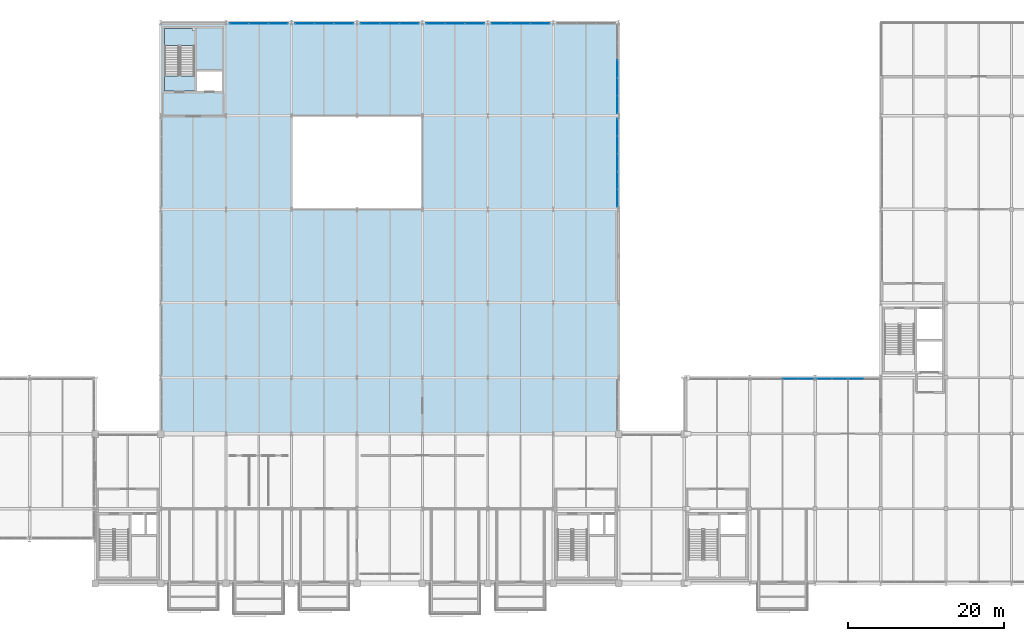
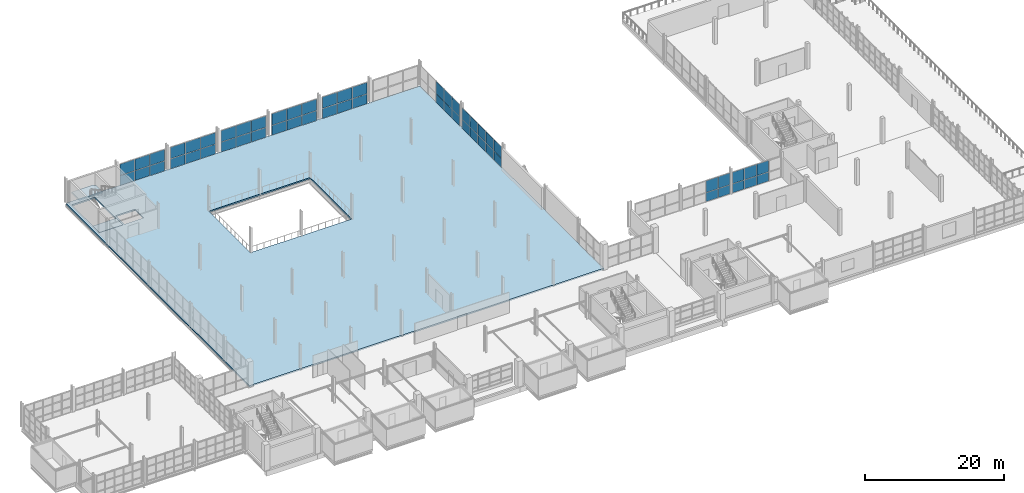
# One storey, part 89 of 109: 56 plates, 3 slabs, 10 elements without a shape of their own.
"""IFC4 building model written with IfcOpenShell, lengths in metres."""

from ifc_helpers import new_model, si_unit, direction, frame, origin, origin_2d, place, context, subcontext, project, spatial, polyline, rectangle, outline, extrude, material, layer, layer_set, type_object, element, aggregate, save


model = new_model("IFC4")

# Units and contexts
model_context = context("Model", 3, precision=1e-05, world=origin(), true_north=direction((0.0, 1.0)))
body_context = subcontext(model_context, "Body", "Model", "MODEL_VIEW")
ifc_project = project(units=[si_unit("LENGTHUNIT", "METRE"), si_unit("AREAUNIT", "SQUARE_METRE"), si_unit("VOLUMEUNIT", "CUBIC_METRE"), si_unit("PLANEANGLEUNIT", "RADIAN"), si_unit("MASSUNIT", "GRAM", prefix="KILO")], contexts=[model_context])

# Site, building, storey
site_placement = place(None, origin())
site = spatial("IfcSite", under=ifc_project, at=site_placement, CompositionType="ELEMENT")
building_placement = place(site_placement, origin())
building = spatial("IfcBuilding", under=site, at=building_placement, Name="Veltarok Museum of Natural Sciences", CompositionType="ELEMENT")
storey_placement = place(building_placement, frame((0.0, 0.0, 17.39990234375)))
storey = spatial("IfcBuildingStorey", under=building, at=storey_placement, Name="L03", CompositionType="ELEMENT", Elevation=17.39990234375)

# Slab
ifc_material_1 = material(Name="Concrete C35/45", Category="concrete")
ifc_layer_1 = layer(ifc_material_1, 0.199951171875)
ifc_layer_set_1 = layer_set([ifc_layer_1], Name="Concrete C35/45")
slab_type_1 = type_object("IfcSlabType", Name="Protected Stair Intermediate Landing Slab 200", PredefinedType="LANDING", material=ifc_layer_set_1)
slab_1_placement = place(storey_placement, frame((0.0, 0.0, -0.199951171875)))
element("IfcSlab", 1, at=slab_1_placement, inside=storey, type_object=slab_type_1, Name="Stairwell Floor Landing ST-03 L03", PredefinedType="LANDING", context=body_context, shape_type="SweptSolid", body=[
    extrude(outline(polyline([(40.510009765625, 63.179931640625), (44.389892578125, 63.179931640625), (44.389892578125, 65.10009765625), (40.510009765625, 65.10009765625), (40.510009765625, 63.179931640625)])), origin(), (0.0, 0.0, 1.0), 0.199951171875),
])

# Stair, slab
ifc_material_2 = material(Name="Precast concrete C40/50", Category="concrete")
stair_type = type_object("IfcStairType", Name="Protected Half-Turn Escape Stair H4500", PredefinedType="HALF_TURN_STAIR", material=ifc_material_2)
stair_placement = place(storey_placement, origin())
stair = element("IfcStair", 2, at=stair_placement, inside=storey, type_object=stair_type, Name="Protected Escape Stair ST-03-L03", PredefinedType="HALF_TURN_STAIR")
slab_2_placement = place(storey_placement, frame((0.0, 0.0, 2.050048828125)))
slab_2 = element("IfcSlab", 3, at=slab_2_placement, type_object=slab_type_1, Name="ST-03-L03 landing 1", PredefinedType="LANDING", context=body_context, shape_type="SweptSolid", body=[
    extrude(outline(polyline([(40.510009765625, 69.0), (44.389892578125, 69.0), (44.389892578125, 70.97998046875), (44.070068359375, 70.97998046875), (44.070068359375, 71.219970703125), (40.510009765625, 71.219970703125), (40.510009765625, 69.0)])), origin(), (0.0, 0.0, 1.0), 0.199951171875),
])
aggregate(stair, [slab_2])

# Slab
ifc_layer_2 = layer(ifc_material_1, 0.25)
ifc_layer_set_2 = layer_set([ifc_layer_2], Name="Concrete C35/45")
slab_type_2 = type_object("IfcSlabType", Name="Suspended Museum Floor Slab 250", PredefinedType="FLOOR", material=ifc_layer_set_2)
slab_3_placement = place(storey_placement, frame((0.0, 0.0, -0.25)))
element("IfcSlab", 4, at=slab_3_placement, inside=storey, type_object=slab_type_2, Name="Floor Slab L03 V2", PredefinedType="FLOOR", context=body_context, shape_type="SweptSolid", body=[
    extrude(outline(polyline([(40.0, 19.199951171875), (40.0, 72.0), (98.800048828125, 72.0), (98.800048828125, 19.199951171875), (40.0, 19.199951171875)]), holes=[polyline([(73.60009765625, 60.0), (56.800048828125, 60.0), (56.800048828125, 48.0), (73.60009765625, 48.0), (73.60009765625, 60.0)]), polyline([(47.8701171875, 65.699951171875), (44.669921875, 65.699951171875), (44.669921875, 63.199951171875), (47.8701171875, 63.199951171875), (47.8701171875, 65.699951171875)]), polyline([(44.3701171875, 71.199951171875), (40.530029296875, 71.199951171875), (40.530029296875, 63.199951171875), (44.3701171875, 63.199951171875), (44.3701171875, 71.199951171875)])]), origin(), (0.0, 0.0, 1.0), 0.25),
])

# Curtain wall, plates
ifc_material_3 = material(Name="Low-iron triple insulated glass", Category="glass")
curtain_wall_type_1 = type_object("IfcCurtainWallType", Name="Curtain Wall System CW-V2N-L03-6-756x388 (V2 North Hall L03 6-7 756x388cm)", PredefinedType="NOTDEFINED", material=ifc_material_3)
curtain_wall_1_placement = place(storey_placement, origin())
curtain_wall_1 = element("IfcCurtainWall", 5, at=curtain_wall_1_placement, inside=storey, type_object=curtain_wall_type_1, Name="Curtain Wall CW-V2N-L03-6-756x388 CW-0055", PredefinedType="NOTDEFINED")
ifc_layer_3 = layer(ifc_material_3, 0.028076171875)
ifc_layer_set_3 = layer_set([ifc_layer_3], Name="Low-iron triple insulated glass")
plate_type = type_object("IfcPlateType", Name="Triple Low-Iron Glazed Vision Panel 28", PredefinedType="CURTAIN_PANEL", material=ifc_layer_set_3)
plate_1_placement = place(storey_placement, frame((55.10498046875, 71.85009765625, 0.06005859375), z_axis=(0.0, 0.0, 1.0), x_axis=(-1.0, 0.0, 0.0)))
plate_1 = element("IfcPlate", 6, at=plate_1_placement, type_object=plate_type, Name="CW-V2N-L03-6-756x388 panel 1.1", PredefinedType="CURTAIN_PANEL", context=body_context, shape_type="SweptSolid", body=[
    extrude(rectangle(XDim=2.429931640625, YDim=0.028076171875, at=origin_2d()), origin(), (0.0, 0.0, 1.0), 1.7099609375),
])
plate_2_placement = place(storey_placement, frame((55.10498046875, 71.85009765625, 1.830078125), z_axis=(0.0, 0.0, 1.0), x_axis=(-1.0, 0.0, 0.0)))
plate_2 = element("IfcPlate", 7, at=plate_2_placement, type_object=plate_type, Name="CW-V2N-L03-6-756x388 panel 1.2", PredefinedType="CURTAIN_PANEL", context=body_context, shape_type="SweptSolid", body=[
    extrude(rectangle(XDim=2.429931640625, YDim=0.028076171875, at=origin_2d()), origin(), (0.0, 0.0, 1.0), 1.989990234375),
])
plate_3_placement = place(storey_placement, frame((52.60009765625, 71.85009765625, 0.06005859375), z_axis=(0.0, 0.0, 1.0), x_axis=(-1.0, 0.0, 0.0)))
plate_3 = element("IfcPlate", 8, at=plate_3_placement, type_object=plate_type, Name="CW-V2N-L03-6-756x388 panel 2.1", PredefinedType="CURTAIN_PANEL", context=body_context, shape_type="SweptSolid", body=[
    extrude(rectangle(XDim=2.4599609375, YDim=0.028076171875, at=origin_2d()), origin(), (0.0, 0.0, 1.0), 1.7099609375),
])
plate_4_placement = place(storey_placement, frame((52.60009765625, 71.85009765625, 1.830078125), z_axis=(0.0, 0.0, 1.0), x_axis=(-1.0, 0.0, 0.0)))
plate_4 = element("IfcPlate", 9, at=plate_4_placement, type_object=plate_type, Name="CW-V2N-L03-6-756x388 panel 2.2", PredefinedType="CURTAIN_PANEL", context=body_context, shape_type="SweptSolid", body=[
    extrude(rectangle(XDim=2.4599609375, YDim=0.028076171875, at=origin_2d()), origin(), (0.0, 0.0, 1.0), 1.989990234375),
])
plate_5_placement = place(storey_placement, frame((50.094970703125, 71.85009765625, 0.06005859375), z_axis=(0.0, 0.0, 1.0), x_axis=(-1.0, 0.0, 0.0)))
plate_5 = element("IfcPlate", 10, at=plate_5_placement, type_object=plate_type, Name="CW-V2N-L03-6-756x388 panel 3.1", PredefinedType="CURTAIN_PANEL", context=body_context, shape_type="SweptSolid", body=[
    extrude(rectangle(XDim=2.429931640625, YDim=0.028076171875, at=origin_2d()), origin(), (0.0, 0.0, 1.0), 1.7099609375),
])
plate_6_placement = place(storey_placement, frame((50.094970703125, 71.85009765625, 1.830078125), z_axis=(0.0, 0.0, 1.0), x_axis=(-1.0, 0.0, 0.0)))
plate_6 = element("IfcPlate", 11, at=plate_6_placement, type_object=plate_type, Name="CW-V2N-L03-6-756x388 panel 3.2", PredefinedType="CURTAIN_PANEL", context=body_context, shape_type="SweptSolid", body=[
    extrude(rectangle(XDim=2.429931640625, YDim=0.028076171875, at=origin_2d()), origin(), (0.0, 0.0, 1.0), 1.989990234375),
])
aggregate(curtain_wall_1, [plate_1, plate_2, plate_3, plate_4, plate_5, plate_6])

curtain_wall_type_2 = type_object("IfcCurtainWallType", Name="Curtain Wall System CW-V2N-L03-7-756x388 (V2 North Hall L03 7-8 756x388cm)", PredefinedType="NOTDEFINED", material=ifc_material_3)
curtain_wall_2_placement = place(storey_placement, origin())
curtain_wall_2 = element("IfcCurtainWall", 12, at=curtain_wall_2_placement, inside=storey, type_object=curtain_wall_type_2, Name="Curtain Wall CW-V2N-L03-7-756x388 CW-0056", PredefinedType="NOTDEFINED")
plate_7_placement = place(storey_placement, frame((63.5048828125, 71.85009765625, 0.06005859375), z_axis=(0.0, 0.0, 1.0), x_axis=(-1.0, 0.0, 0.0)))
plate_7 = element("IfcPlate", 13, at=plate_7_placement, type_object=plate_type, Name="CW-V2N-L03-7-756x388 panel 1.1", PredefinedType="CURTAIN_PANEL", context=body_context, shape_type="SweptSolid", body=[
    extrude(rectangle(XDim=2.429931640625, YDim=0.028076171875, at=origin_2d()), origin(), (0.0, 0.0, 1.0), 1.7099609375),
])
plate_8_placement = place(storey_placement, frame((63.5048828125, 71.85009765625, 1.830078125), z_axis=(0.0, 0.0, 1.0), x_axis=(-1.0, 0.0, 0.0)))
plate_8 = element("IfcPlate", 14, at=plate_8_placement, type_object=plate_type, Name="CW-V2N-L03-7-756x388 panel 1.2", PredefinedType="CURTAIN_PANEL", context=body_context, shape_type="SweptSolid", body=[
    extrude(rectangle(XDim=2.429931640625, YDim=0.028076171875, at=origin_2d()), origin(), (0.0, 0.0, 1.0), 1.989990234375),
])
plate_9_placement = place(storey_placement, frame((61.0, 71.85009765625, 0.06005859375), z_axis=(0.0, 0.0, 1.0), x_axis=(-1.0, 0.0, 0.0)))
plate_9 = element("IfcPlate", 15, at=plate_9_placement, type_object=plate_type, Name="CW-V2N-L03-7-756x388 panel 2.1", PredefinedType="CURTAIN_PANEL", context=body_context, shape_type="SweptSolid", body=[
    extrude(rectangle(XDim=2.4599609375, YDim=0.028076171875, at=origin_2d()), origin(), (0.0, 0.0, 1.0), 1.7099609375),
])
plate_10_placement = place(storey_placement, frame((61.0, 71.85009765625, 1.830078125), z_axis=(0.0, 0.0, 1.0), x_axis=(-1.0, 0.0, 0.0)))
plate_10 = element("IfcPlate", 16, at=plate_10_placement, type_object=plate_type, Name="CW-V2N-L03-7-756x388 panel 2.2", PredefinedType="CURTAIN_PANEL", context=body_context, shape_type="SweptSolid", body=[
    extrude(rectangle(XDim=2.4599609375, YDim=0.028076171875, at=origin_2d()), origin(), (0.0, 0.0, 1.0), 1.989990234375),
])
plate_11_placement = place(storey_placement, frame((58.4951171875, 71.85009765625, 0.06005859375), z_axis=(0.0, 0.0, 1.0), x_axis=(-1.0, 0.0, 0.0)))
plate_11 = element("IfcPlate", 17, at=plate_11_placement, type_object=plate_type, Name="CW-V2N-L03-7-756x388 panel 3.1", PredefinedType="CURTAIN_PANEL", context=body_context, shape_type="SweptSolid", body=[
    extrude(rectangle(XDim=2.429931640625, YDim=0.028076171875, at=origin_2d()), origin(), (0.0, 0.0, 1.0), 1.7099609375),
])
plate_12_placement = place(storey_placement, frame((58.4951171875, 71.85009765625, 1.830078125), z_axis=(0.0, 0.0, 1.0), x_axis=(-1.0, 0.0, 0.0)))
plate_12 = element("IfcPlate", 18, at=plate_12_placement, type_object=plate_type, Name="CW-V2N-L03-7-756x388 panel 3.2", PredefinedType="CURTAIN_PANEL", context=body_context, shape_type="SweptSolid", body=[
    extrude(rectangle(XDim=2.429931640625, YDim=0.028076171875, at=origin_2d()), origin(), (0.0, 0.0, 1.0), 1.989990234375),
])
aggregate(curtain_wall_2, [plate_7, plate_8, plate_9, plate_10, plate_11, plate_12])

curtain_wall_type_3 = type_object("IfcCurtainWallType", Name="Curtain Wall System CW-V2N-L03-8-756x388 (V2 North Hall L03 8-9 756x388cm)", PredefinedType="NOTDEFINED", material=ifc_material_3)
curtain_wall_3_placement = place(storey_placement, origin())
curtain_wall_3 = element("IfcCurtainWall", 19, at=curtain_wall_3_placement, inside=storey, type_object=curtain_wall_type_3, Name="Curtain Wall CW-V2N-L03-8-756x388 CW-0057", PredefinedType="NOTDEFINED")
plate_13_placement = place(storey_placement, frame((71.905029296875, 71.85009765625, 0.06005859375), z_axis=(0.0, 0.0, 1.0), x_axis=(-1.0, 0.0, 0.0)))
plate_13 = element("IfcPlate", 20, at=plate_13_placement, type_object=plate_type, Name="CW-V2N-L03-8-756x388 panel 1.1", PredefinedType="CURTAIN_PANEL", context=body_context, shape_type="SweptSolid", body=[
    extrude(rectangle(XDim=2.429931640625, YDim=0.028076171875, at=origin_2d()), origin(), (0.0, 0.0, 1.0), 1.7099609375),
])
plate_14_placement = place(storey_placement, frame((71.905029296875, 71.85009765625, 1.830078125), z_axis=(0.0, 0.0, 1.0), x_axis=(-1.0, 0.0, 0.0)))
plate_14 = element("IfcPlate", 21, at=plate_14_placement, type_object=plate_type, Name="CW-V2N-L03-8-756x388 panel 1.2", PredefinedType="CURTAIN_PANEL", context=body_context, shape_type="SweptSolid", body=[
    extrude(rectangle(XDim=2.429931640625, YDim=0.028076171875, at=origin_2d()), origin(), (0.0, 0.0, 1.0), 1.989990234375),
])
plate_15_placement = place(storey_placement, frame((69.39990234375, 71.85009765625, 0.06005859375), z_axis=(0.0, 0.0, 1.0), x_axis=(-1.0, 0.0, 0.0)))
plate_15 = element("IfcPlate", 22, at=plate_15_placement, type_object=plate_type, Name="CW-V2N-L03-8-756x388 panel 2.1", PredefinedType="CURTAIN_PANEL", context=body_context, shape_type="SweptSolid", body=[
    extrude(rectangle(XDim=2.4599609375, YDim=0.028076171875, at=origin_2d()), origin(), (0.0, 0.0, 1.0), 1.7099609375),
])
plate_16_placement = place(storey_placement, frame((69.39990234375, 71.85009765625, 1.830078125), z_axis=(0.0, 0.0, 1.0), x_axis=(-1.0, 0.0, 0.0)))
plate_16 = element("IfcPlate", 23, at=plate_16_placement, type_object=plate_type, Name="CW-V2N-L03-8-756x388 panel 2.2", PredefinedType="CURTAIN_PANEL", context=body_context, shape_type="SweptSolid", body=[
    extrude(rectangle(XDim=2.4599609375, YDim=0.028076171875, at=origin_2d()), origin(), (0.0, 0.0, 1.0), 1.989990234375),
])
plate_17_placement = place(storey_placement, frame((66.89501953125, 71.85009765625, 0.06005859375), z_axis=(0.0, 0.0, 1.0), x_axis=(-1.0, 0.0, 0.0)))
plate_17 = element("IfcPlate", 24, at=plate_17_placement, type_object=plate_type, Name="CW-V2N-L03-8-756x388 panel 3.1", PredefinedType="CURTAIN_PANEL", context=body_context, shape_type="SweptSolid", body=[
    extrude(rectangle(XDim=2.429931640625, YDim=0.028076171875, at=origin_2d()), origin(), (0.0, 0.0, 1.0), 1.7099609375),
])
plate_18_placement = place(storey_placement, frame((66.89501953125, 71.85009765625, 1.830078125), z_axis=(0.0, 0.0, 1.0), x_axis=(-1.0, 0.0, 0.0)))
plate_18 = element("IfcPlate", 25, at=plate_18_placement, type_object=plate_type, Name="CW-V2N-L03-8-756x388 panel 3.2", PredefinedType="CURTAIN_PANEL", context=body_context, shape_type="SweptSolid", body=[
    extrude(rectangle(XDim=2.429931640625, YDim=0.028076171875, at=origin_2d()), origin(), (0.0, 0.0, 1.0), 1.989990234375),
])
aggregate(curtain_wall_3, [plate_13, plate_14, plate_15, plate_16, plate_17, plate_18])

curtain_wall_type_4 = type_object("IfcCurtainWallType", Name="Curtain Wall System CW-V2N-L03-9-756x388 (V2 North Hall L03 9-10 756x388cm)", PredefinedType="NOTDEFINED", material=ifc_material_3)
curtain_wall_4_placement = place(storey_placement, origin())
curtain_wall_4 = element("IfcCurtainWall", 26, at=curtain_wall_4_placement, inside=storey, type_object=curtain_wall_type_4, Name="Curtain Wall CW-V2N-L03-9-756x388 CW-0058", PredefinedType="NOTDEFINED")
plate_19_placement = place(storey_placement, frame((80.304931640625, 71.85009765625, 0.06005859375), z_axis=(0.0, 0.0, 1.0), x_axis=(-1.0, 0.0, 0.0)))
plate_19 = element("IfcPlate", 27, at=plate_19_placement, type_object=plate_type, Name="CW-V2N-L03-9-756x388 panel 1.1", PredefinedType="CURTAIN_PANEL", context=body_context, shape_type="SweptSolid", body=[
    extrude(rectangle(XDim=2.429931640625, YDim=0.028076171875, at=origin_2d()), origin(), (0.0, 0.0, 1.0), 1.7099609375),
])
plate_20_placement = place(storey_placement, frame((80.304931640625, 71.85009765625, 1.830078125), z_axis=(0.0, 0.0, 1.0), x_axis=(-1.0, 0.0, 0.0)))
plate_20 = element("IfcPlate", 28, at=plate_20_placement, type_object=plate_type, Name="CW-V2N-L03-9-756x388 panel 1.2", PredefinedType="CURTAIN_PANEL", context=body_context, shape_type="SweptSolid", body=[
    extrude(rectangle(XDim=2.429931640625, YDim=0.028076171875, at=origin_2d()), origin(), (0.0, 0.0, 1.0), 1.989990234375),
])
plate_21_placement = place(storey_placement, frame((77.800048828125, 71.85009765625, 0.06005859375), z_axis=(0.0, 0.0, 1.0), x_axis=(-1.0, 0.0, 0.0)))
plate_21 = element("IfcPlate", 29, at=plate_21_placement, type_object=plate_type, Name="CW-V2N-L03-9-756x388 panel 2.1", PredefinedType="CURTAIN_PANEL", context=body_context, shape_type="SweptSolid", body=[
    extrude(rectangle(XDim=2.4599609375, YDim=0.028076171875, at=origin_2d()), origin(), (0.0, 0.0, 1.0), 1.7099609375),
])
plate_22_placement = place(storey_placement, frame((77.800048828125, 71.85009765625, 1.830078125), z_axis=(0.0, 0.0, 1.0), x_axis=(-1.0, 0.0, 0.0)))
plate_22 = element("IfcPlate", 30, at=plate_22_placement, type_object=plate_type, Name="CW-V2N-L03-9-756x388 panel 2.2", PredefinedType="CURTAIN_PANEL", context=body_context, shape_type="SweptSolid", body=[
    extrude(rectangle(XDim=2.4599609375, YDim=0.028076171875, at=origin_2d()), origin(), (0.0, 0.0, 1.0), 1.989990234375),
])
plate_23_placement = place(storey_placement, frame((75.294921875, 71.85009765625, 0.06005859375), z_axis=(0.0, 0.0, 1.0), x_axis=(-1.0, 0.0, 0.0)))
plate_23 = element("IfcPlate", 31, at=plate_23_placement, type_object=plate_type, Name="CW-V2N-L03-9-756x388 panel 3.1", PredefinedType="CURTAIN_PANEL", context=body_context, shape_type="SweptSolid", body=[
    extrude(rectangle(XDim=2.429931640625, YDim=0.028076171875, at=origin_2d()), origin(), (0.0, 0.0, 1.0), 1.7099609375),
])
plate_24_placement = place(storey_placement, frame((75.294921875, 71.85009765625, 1.830078125), z_axis=(0.0, 0.0, 1.0), x_axis=(-1.0, 0.0, 0.0)))
plate_24 = element("IfcPlate", 32, at=plate_24_placement, type_object=plate_type, Name="CW-V2N-L03-9-756x388 panel 3.2", PredefinedType="CURTAIN_PANEL", context=body_context, shape_type="SweptSolid", body=[
    extrude(rectangle(XDim=2.429931640625, YDim=0.028076171875, at=origin_2d()), origin(), (0.0, 0.0, 1.0), 1.989990234375),
])
aggregate(curtain_wall_4, [plate_19, plate_20, plate_21, plate_22, plate_23, plate_24])

curtain_wall_type_5 = type_object("IfcCurtainWallType", Name="Curtain Wall System CW-V2N-L03-10-756x388 (V2 North Hall L03 10-11 756x388cm)", PredefinedType="NOTDEFINED", material=ifc_material_3)
curtain_wall_5_placement = place(storey_placement, origin())
curtain_wall_5 = element("IfcCurtainWall", 33, at=curtain_wall_5_placement, inside=storey, type_object=curtain_wall_type_5, Name="Curtain Wall CW-V2N-L03-10-756x388 CW-0059", PredefinedType="NOTDEFINED")
plate_25_placement = place(storey_placement, frame((88.705078125, 71.85009765625, 0.06005859375), z_axis=(0.0, 0.0, 1.0), x_axis=(-1.0, 0.0, 0.0)))
plate_25 = element("IfcPlate", 34, at=plate_25_placement, type_object=plate_type, Name="CW-V2N-L03-10-756x388 panel 1.1", PredefinedType="CURTAIN_PANEL", context=body_context, shape_type="SweptSolid", body=[
    extrude(rectangle(XDim=2.429931640625, YDim=0.028076171875, at=origin_2d()), origin(), (0.0, 0.0, 1.0), 1.7099609375),
])
plate_26_placement = place(storey_placement, frame((88.705078125, 71.85009765625, 1.830078125), z_axis=(0.0, 0.0, 1.0), x_axis=(-1.0, 0.0, 0.0)))
plate_26 = element("IfcPlate", 35, at=plate_26_placement, type_object=plate_type, Name="CW-V2N-L03-10-756x388 panel 1.2", PredefinedType="CURTAIN_PANEL", context=body_context, shape_type="SweptSolid", body=[
    extrude(rectangle(XDim=2.429931640625, YDim=0.028076171875, at=origin_2d()), origin(), (0.0, 0.0, 1.0), 1.989990234375),
])
plate_27_placement = place(storey_placement, frame((86.199951171875, 71.85009765625, 0.06005859375), z_axis=(0.0, 0.0, 1.0), x_axis=(-1.0, 0.0, 0.0)))
plate_27 = element("IfcPlate", 36, at=plate_27_placement, type_object=plate_type, Name="CW-V2N-L03-10-756x388 panel 2.1", PredefinedType="CURTAIN_PANEL", context=body_context, shape_type="SweptSolid", body=[
    extrude(rectangle(XDim=2.4599609375, YDim=0.028076171875, at=origin_2d()), origin(), (0.0, 0.0, 1.0), 1.7099609375),
])
plate_28_placement = place(storey_placement, frame((86.199951171875, 71.85009765625, 1.830078125), z_axis=(0.0, 0.0, 1.0), x_axis=(-1.0, 0.0, 0.0)))
plate_28 = element("IfcPlate", 37, at=plate_28_placement, type_object=plate_type, Name="CW-V2N-L03-10-756x388 panel 2.2", PredefinedType="CURTAIN_PANEL", context=body_context, shape_type="SweptSolid", body=[
    extrude(rectangle(XDim=2.4599609375, YDim=0.028076171875, at=origin_2d()), origin(), (0.0, 0.0, 1.0), 1.989990234375),
])
plate_29_placement = place(storey_placement, frame((83.695068359375, 71.85009765625, 0.06005859375), z_axis=(0.0, 0.0, 1.0), x_axis=(-1.0, 0.0, 0.0)))
plate_29 = element("IfcPlate", 38, at=plate_29_placement, type_object=plate_type, Name="CW-V2N-L03-10-756x388 panel 3.1", PredefinedType="CURTAIN_PANEL", context=body_context, shape_type="SweptSolid", body=[
    extrude(rectangle(XDim=2.429931640625, YDim=0.028076171875, at=origin_2d()), origin(), (0.0, 0.0, 1.0), 1.7099609375),
])
plate_30_placement = place(storey_placement, frame((83.695068359375, 71.85009765625, 1.830078125), z_axis=(0.0, 0.0, 1.0), x_axis=(-1.0, 0.0, 0.0)))
plate_30 = element("IfcPlate", 39, at=plate_30_placement, type_object=plate_type, Name="CW-V2N-L03-10-756x388 panel 3.2", PredefinedType="CURTAIN_PANEL", context=body_context, shape_type="SweptSolid", body=[
    extrude(rectangle(XDim=2.429931640625, YDim=0.028076171875, at=origin_2d()), origin(), (0.0, 0.0, 1.0), 1.989990234375),
])
aggregate(curtain_wall_5, [plate_25, plate_26, plate_27, plate_28, plate_29, plate_30])

curtain_wall_type_6 = type_object("IfcCurtainWallType", Name="Curtain Wall System CW-V2E-L03-3-1140x373 (CW-V2E L03 1140x373cm)", PredefinedType="NOTDEFINED", material=ifc_material_3)
curtain_wall_6_placement = place(storey_placement, origin())
curtain_wall_6 = element("IfcCurtainWall", 40, at=curtain_wall_6_placement, inside=storey, type_object=curtain_wall_type_6, Name="Curtain Wall CW-V2E-L03-3-1140x373 CW-0135", PredefinedType="NOTDEFINED")
plate_31_placement = place(storey_placement, frame((98.64990234375, 49.455078125, 0.05810546875), z_axis=(0.0, 0.0, 1.0), x_axis=(0.0, 1.0, 0.0)))
plate_31 = element("IfcPlate", 41, at=plate_31_placement, type_object=plate_type, Name="CW-V2E-L03-3-1140x373 panel 1.1", PredefinedType="CURTAIN_PANEL", context=body_context, shape_type="SweptSolid", body=[
    extrude(rectangle(XDim=2.18994140625, YDim=0.028076171875, at=origin_2d()), origin(), (0.0, 0.0, 1.0), 1.56005859375),
])
plate_32_placement = place(storey_placement, frame((98.64990234375, 49.455078125, 1.67822265625), z_axis=(0.0, 0.0, 1.0), x_axis=(0.0, 1.0, 0.0)))
plate_32 = element("IfcPlate", 42, at=plate_32_placement, type_object=plate_type, Name="CW-V2E-L03-3-1140x373 panel 1.2", PredefinedType="CURTAIN_PANEL", context=body_context, shape_type="SweptSolid", body=[
    extrude(rectangle(XDim=2.18994140625, YDim=0.028076171875, at=origin_2d()), origin(), (0.0, 0.0, 1.0), 1.991943359375),
])
plate_33_placement = place(storey_placement, frame((98.64990234375, 51.719970703125, 0.05810546875), z_axis=(0.0, 0.0, 1.0), x_axis=(0.0, 1.0, 0.0)))
plate_33 = element("IfcPlate", 43, at=plate_33_placement, type_object=plate_type, Name="CW-V2E-L03-3-1140x373 panel 2.1", PredefinedType="CURTAIN_PANEL", context=body_context, shape_type="SweptSolid", body=[
    extrude(rectangle(XDim=2.219970703125, YDim=0.028076171875, at=origin_2d()), origin(), (0.0, 0.0, 1.0), 1.56005859375),
])
plate_34_placement = place(storey_placement, frame((98.64990234375, 51.719970703125, 1.67822265625), z_axis=(0.0, 0.0, 1.0), x_axis=(0.0, 1.0, 0.0)))
plate_34 = element("IfcPlate", 44, at=plate_34_placement, type_object=plate_type, Name="CW-V2E-L03-3-1140x373 panel 2.2", PredefinedType="CURTAIN_PANEL", context=body_context, shape_type="SweptSolid", body=[
    extrude(rectangle(XDim=2.219970703125, YDim=0.028076171875, at=origin_2d()), origin(), (0.0, 0.0, 1.0), 1.991943359375),
])
plate_35_placement = place(storey_placement, frame((98.64990234375, 54.0, 0.05810546875), z_axis=(0.0, 0.0, 1.0), x_axis=(0.0, 1.0, 0.0)))
plate_35 = element("IfcPlate", 45, at=plate_35_placement, type_object=plate_type, Name="CW-V2E-L03-3-1140x373 panel 3.1", PredefinedType="CURTAIN_PANEL", context=body_context, shape_type="SweptSolid", body=[
    extrude(rectangle(XDim=2.219970703125, YDim=0.028076171875, at=origin_2d()), origin(), (0.0, 0.0, 1.0), 1.56005859375),
])
plate_36_placement = place(storey_placement, frame((98.64990234375, 54.0, 1.67822265625), z_axis=(0.0, 0.0, 1.0), x_axis=(0.0, 1.0, 0.0)))
plate_36 = element("IfcPlate", 46, at=plate_36_placement, type_object=plate_type, Name="CW-V2E-L03-3-1140x373 panel 3.2", PredefinedType="CURTAIN_PANEL", context=body_context, shape_type="SweptSolid", body=[
    extrude(rectangle(XDim=2.219970703125, YDim=0.028076171875, at=origin_2d()), origin(), (0.0, 0.0, 1.0), 1.991943359375),
])
plate_37_placement = place(storey_placement, frame((98.64990234375, 56.280029296875, 0.05810546875), z_axis=(0.0, 0.0, 1.0), x_axis=(0.0, 1.0, 0.0)))
plate_37 = element("IfcPlate", 47, at=plate_37_placement, type_object=plate_type, Name="CW-V2E-L03-3-1140x373 panel 4.1", PredefinedType="CURTAIN_PANEL", context=body_context, shape_type="SweptSolid", body=[
    extrude(rectangle(XDim=2.219970703125, YDim=0.028076171875, at=origin_2d()), origin(), (0.0, 0.0, 1.0), 1.56005859375),
])
plate_38_placement = place(storey_placement, frame((98.64990234375, 56.280029296875, 1.67822265625), z_axis=(0.0, 0.0, 1.0), x_axis=(0.0, 1.0, 0.0)))
plate_38 = element("IfcPlate", 48, at=plate_38_placement, type_object=plate_type, Name="CW-V2E-L03-3-1140x373 panel 4.2", PredefinedType="CURTAIN_PANEL", context=body_context, shape_type="SweptSolid", body=[
    extrude(rectangle(XDim=2.219970703125, YDim=0.028076171875, at=origin_2d()), origin(), (0.0, 0.0, 1.0), 1.991943359375),
])
plate_39_placement = place(storey_placement, frame((98.64990234375, 58.544921875, 0.05810546875), z_axis=(0.0, 0.0, 1.0), x_axis=(0.0, 1.0, 0.0)))
plate_39 = element("IfcPlate", 49, at=plate_39_placement, type_object=plate_type, Name="CW-V2E-L03-3-1140x373 panel 5.1", PredefinedType="CURTAIN_PANEL", context=body_context, shape_type="SweptSolid", body=[
    extrude(rectangle(XDim=2.18994140625, YDim=0.028076171875, at=origin_2d()), origin(), (0.0, 0.0, 1.0), 1.56005859375),
])
plate_40_placement = place(storey_placement, frame((98.64990234375, 58.544921875, 1.67822265625), z_axis=(0.0, 0.0, 1.0), x_axis=(0.0, 1.0, 0.0)))
plate_40 = element("IfcPlate", 50, at=plate_40_placement, type_object=plate_type, Name="CW-V2E-L03-3-1140x373 panel 5.2", PredefinedType="CURTAIN_PANEL", context=body_context, shape_type="SweptSolid", body=[
    extrude(rectangle(XDim=2.18994140625, YDim=0.028076171875, at=origin_2d()), origin(), (0.0, 0.0, 1.0), 1.991943359375),
])
aggregate(curtain_wall_6, [plate_31, plate_32, plate_33, plate_34, plate_35, plate_36, plate_37, plate_38, plate_39, plate_40])

curtain_wall_type_7 = type_object("IfcCurtainWallType", Name="Curtain Wall System CW-V2E-L03-0-1140x388 (CW-V2E L03 1140x388cm)", PredefinedType="NOTDEFINED", material=ifc_material_3)
curtain_wall_7_placement = place(storey_placement, origin())
curtain_wall_7 = element("IfcCurtainWall", 51, at=curtain_wall_7_placement, inside=storey, type_object=curtain_wall_type_7, Name="Curtain Wall CW-V2E-L03-0-1140x388 CW-0136", PredefinedType="NOTDEFINED")
plate_41_placement = place(storey_placement, frame((98.64990234375, 61.455078125, 0.05810546875), z_axis=(0.0, 0.0, 1.0), x_axis=(0.0, 1.0, 0.0)))
plate_41 = element("IfcPlate", 52, at=plate_41_placement, type_object=plate_type, Name="CW-V2E-L03-0-1140x388 panel 1.1", PredefinedType="CURTAIN_PANEL", context=body_context, shape_type="SweptSolid", body=[
    extrude(rectangle(XDim=2.18994140625, YDim=0.028076171875, at=origin_2d()), origin(), (0.0, 0.0, 1.0), 1.56005859375),
])
plate_42_placement = place(storey_placement, frame((98.64990234375, 61.455078125, 1.677978515625), z_axis=(0.0, 0.0, 1.0), x_axis=(0.0, 1.0, 0.0)))
plate_42 = element("IfcPlate", 53, at=plate_42_placement, type_object=plate_type, Name="CW-V2E-L03-0-1140x388 panel 1.2", PredefinedType="CURTAIN_PANEL", context=body_context, shape_type="SweptSolid", body=[
    extrude(rectangle(XDim=2.18994140625, YDim=0.028076171875, at=origin_2d()), origin(), (0.0, 0.0, 1.0), 2.14208984375),
])
plate_43_placement = place(storey_placement, frame((98.64990234375, 63.719970703125, 0.05810546875), z_axis=(0.0, 0.0, 1.0), x_axis=(0.0, 1.0, 0.0)))
plate_43 = element("IfcPlate", 54, at=plate_43_placement, type_object=plate_type, Name="CW-V2E-L03-0-1140x388 panel 2.1", PredefinedType="CURTAIN_PANEL", context=body_context, shape_type="SweptSolid", body=[
    extrude(rectangle(XDim=2.219970703125, YDim=0.028076171875, at=origin_2d()), origin(), (0.0, 0.0, 1.0), 1.56005859375),
])
plate_44_placement = place(storey_placement, frame((98.64990234375, 63.719970703125, 1.677978515625), z_axis=(0.0, 0.0, 1.0), x_axis=(0.0, 1.0, 0.0)))
plate_44 = element("IfcPlate", 55, at=plate_44_placement, type_object=plate_type, Name="CW-V2E-L03-0-1140x388 panel 2.2", PredefinedType="CURTAIN_PANEL", context=body_context, shape_type="SweptSolid", body=[
    extrude(rectangle(XDim=2.219970703125, YDim=0.028076171875, at=origin_2d()), origin(), (0.0, 0.0, 1.0), 2.14208984375),
])
plate_45_placement = place(storey_placement, frame((98.64990234375, 66.0, 0.05810546875), z_axis=(0.0, 0.0, 1.0), x_axis=(0.0, 1.0, 0.0)))
plate_45 = element("IfcPlate", 56, at=plate_45_placement, type_object=plate_type, Name="CW-V2E-L03-0-1140x388 panel 3.1", PredefinedType="CURTAIN_PANEL", context=body_context, shape_type="SweptSolid", body=[
    extrude(rectangle(XDim=2.219970703125, YDim=0.028076171875, at=origin_2d()), origin(), (0.0, 0.0, 1.0), 1.56005859375),
])
plate_46_placement = place(storey_placement, frame((98.64990234375, 66.0, 1.677978515625), z_axis=(0.0, 0.0, 1.0), x_axis=(0.0, 1.0, 0.0)))
plate_46 = element("IfcPlate", 57, at=plate_46_placement, type_object=plate_type, Name="CW-V2E-L03-0-1140x388 panel 3.2", PredefinedType="CURTAIN_PANEL", context=body_context, shape_type="SweptSolid", body=[
    extrude(rectangle(XDim=2.219970703125, YDim=0.028076171875, at=origin_2d()), origin(), (0.0, 0.0, 1.0), 2.14208984375),
])
aggregate(curtain_wall_7, [plate_41, plate_42, plate_43, plate_44, plate_45, plate_46])

curtain_wall_type_8 = type_object("IfcCurtainWallType", Name="Curtain Wall System CW-V5CN-L03-2-810x378 (CW-V5CN L03 810x378cm)", PredefinedType="NOTDEFINED", material=ifc_material_3)
curtain_wall_8_placement = place(storey_placement, origin())
curtain_wall_8 = element("IfcCurtainWall", 58, at=curtain_wall_8_placement, inside=storey, type_object=curtain_wall_type_8, Name="Curtain Wall CW-V5CN-L03-2-810x378 CW-0194", PredefinedType="NOTDEFINED")
plate_47_placement = place(storey_placement, frame((122.822509765625, 26.25, 0.05810546875), z_axis=(0.0, 0.0, 1.0), x_axis=(-1.0, 0.0, 0.0)))
plate_47 = element("IfcPlate", 59, at=plate_47_placement, type_object=plate_type, Name="CW-V5CN-L03-2-810x378 panel 1.1", PredefinedType="CURTAIN_PANEL", context=body_context, shape_type="SweptSolid", body=[
    extrude(rectangle(XDim=1.93505859375, YDim=0.028076171875, at=origin_2d()), origin(), (0.0, 0.0, 1.0), 1.56005859375),
])
plate_48_placement = place(storey_placement, frame((122.822509765625, 26.25, 1.67822265625), z_axis=(0.0, 0.0, 1.0), x_axis=(-1.0, 0.0, 0.0)))
plate_48 = element("IfcPlate", 60, at=plate_48_placement, type_object=plate_type, Name="CW-V5CN-L03-2-810x378 panel 1.2", PredefinedType="CURTAIN_PANEL", context=body_context, shape_type="SweptSolid", body=[
    extrude(rectangle(XDim=1.93505859375, YDim=0.028076171875, at=origin_2d()), origin(), (0.0, 0.0, 1.0), 2.0419921875),
])
plate_49_placement = place(storey_placement, frame((120.8125, 26.25, 0.05810546875), z_axis=(0.0, 0.0, 1.0), x_axis=(-1.0, 0.0, 0.0)))
plate_49 = element("IfcPlate", 61, at=plate_49_placement, type_object=plate_type, Name="CW-V5CN-L03-2-810x378 panel 2.1", PredefinedType="CURTAIN_PANEL", context=body_context, shape_type="SweptSolid", body=[
    extrude(rectangle(XDim=1.965087890625, YDim=0.028076171875, at=origin_2d()), origin(), (0.0, 0.0, 1.0), 1.56005859375),
])
plate_50_placement = place(storey_placement, frame((120.8125, 26.25, 1.67822265625), z_axis=(0.0, 0.0, 1.0), x_axis=(-1.0, 0.0, 0.0)))
plate_50 = element("IfcPlate", 62, at=plate_50_placement, type_object=plate_type, Name="CW-V5CN-L03-2-810x378 panel 2.2", PredefinedType="CURTAIN_PANEL", context=body_context, shape_type="SweptSolid", body=[
    extrude(rectangle(XDim=1.965087890625, YDim=0.028076171875, at=origin_2d()), origin(), (0.0, 0.0, 1.0), 2.0419921875),
])
aggregate(curtain_wall_8, [plate_47, plate_48, plate_49, plate_50])

curtain_wall_type_9 = type_object("IfcCurtainWallType", Name="Curtain Wall System CW-V5CN-L03-3-810x373 (CW-V5CN L03 810x373cm)", PredefinedType="NOTDEFINED", material=ifc_material_3)
curtain_wall_9_placement = place(storey_placement, origin())
curtain_wall_9 = element("IfcCurtainWall", 63, at=curtain_wall_9_placement, inside=storey, type_object=curtain_wall_type_9, Name="Curtain Wall CW-V5CN-L03-3-810x373 CW-0195", PredefinedType="NOTDEFINED")
plate_51_placement = place(storey_placement, frame((129.21240234375, 26.25, 0.05810546875), z_axis=(0.0, 0.0, 1.0), x_axis=(-1.0, 0.0, 0.0)))
plate_51 = element("IfcPlate", 64, at=plate_51_placement, type_object=plate_type, Name="CW-V5CN-L03-3-810x373 panel 2.1", PredefinedType="CURTAIN_PANEL", context=body_context, shape_type="SweptSolid", body=[
    extrude(rectangle(XDim=1.965087890625, YDim=0.028076171875, at=origin_2d()), origin(), (0.0, 0.0, 1.0), 1.56005859375),
])
plate_52_placement = place(storey_placement, frame((129.21240234375, 26.25, 1.67822265625), z_axis=(0.0, 0.0, 1.0), x_axis=(-1.0, 0.0, 0.0)))
plate_52 = element("IfcPlate", 65, at=plate_52_placement, type_object=plate_type, Name="CW-V5CN-L03-3-810x373 panel 2.2", PredefinedType="CURTAIN_PANEL", context=body_context, shape_type="SweptSolid", body=[
    extrude(rectangle(XDim=1.965087890625, YDim=0.028076171875, at=origin_2d()), origin(), (0.0, 0.0, 1.0), 1.991943359375),
])
plate_53_placement = place(storey_placement, frame((127.1875, 26.25, 0.05810546875), z_axis=(0.0, 0.0, 1.0), x_axis=(-1.0, 0.0, 0.0)))
plate_53 = element("IfcPlate", 66, at=plate_53_placement, type_object=plate_type, Name="CW-V5CN-L03-3-810x373 panel 3.1", PredefinedType="CURTAIN_PANEL", context=body_context, shape_type="SweptSolid", body=[
    extrude(rectangle(XDim=1.965087890625, YDim=0.028076171875, at=origin_2d()), origin(), (0.0, 0.0, 1.0), 1.56005859375),
])
plate_54_placement = place(storey_placement, frame((127.1875, 26.25, 1.67822265625), z_axis=(0.0, 0.0, 1.0), x_axis=(-1.0, 0.0, 0.0)))
plate_54 = element("IfcPlate", 67, at=plate_54_placement, type_object=plate_type, Name="CW-V5CN-L03-3-810x373 panel 3.2", PredefinedType="CURTAIN_PANEL", context=body_context, shape_type="SweptSolid", body=[
    extrude(rectangle(XDim=1.965087890625, YDim=0.028076171875, at=origin_2d()), origin(), (0.0, 0.0, 1.0), 1.991943359375),
])
plate_55_placement = place(storey_placement, frame((125.177490234375, 26.25, 0.05810546875), z_axis=(0.0, 0.0, 1.0), x_axis=(-1.0, 0.0, 0.0)))
plate_55 = element("IfcPlate", 68, at=plate_55_placement, type_object=plate_type, Name="CW-V5CN-L03-3-810x373 panel 4.1", PredefinedType="CURTAIN_PANEL", context=body_context, shape_type="SweptSolid", body=[
    extrude(rectangle(XDim=1.93505859375, YDim=0.028076171875, at=origin_2d()), origin(), (0.0, 0.0, 1.0), 1.56005859375),
])
plate_56_placement = place(storey_placement, frame((125.177490234375, 26.25, 1.67822265625), z_axis=(0.0, 0.0, 1.0), x_axis=(-1.0, 0.0, 0.0)))
plate_56 = element("IfcPlate", 69, at=plate_56_placement, type_object=plate_type, Name="CW-V5CN-L03-3-810x373 panel 4.2", PredefinedType="CURTAIN_PANEL", context=body_context, shape_type="SweptSolid", body=[
    extrude(rectangle(XDim=1.93505859375, YDim=0.028076171875, at=origin_2d()), origin(), (0.0, 0.0, 1.0), 1.991943359375),
])
aggregate(curtain_wall_9, [plate_51, plate_52, plate_53, plate_54, plate_55, plate_56])

save(model, "model.ifc")
